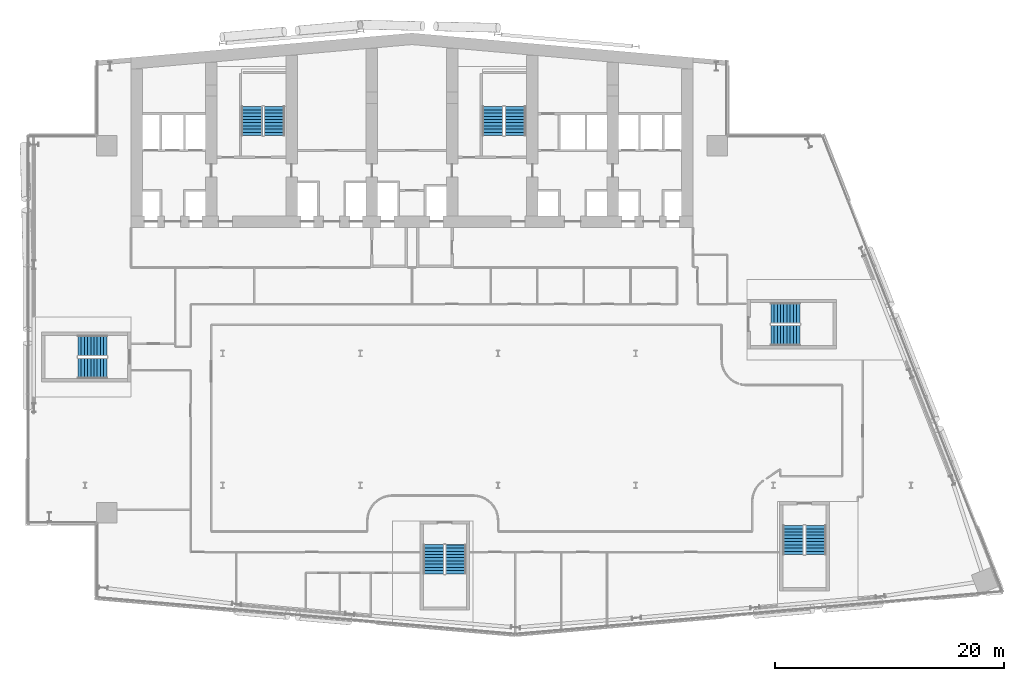
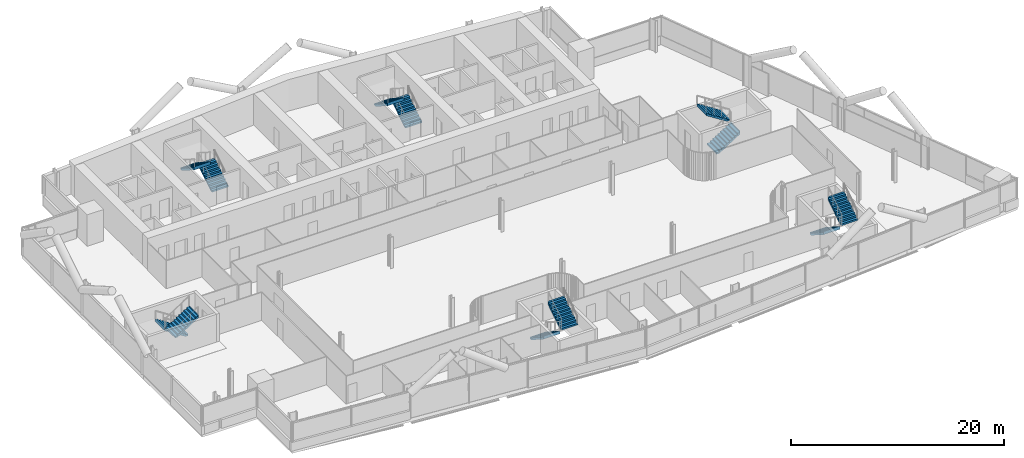
# One storey, part 24 of 30: 12 stair flights, 6 elements without a shape of their own.
"""IFC4 building model written with IfcOpenShell, lengths in metres."""

import ifcopenshell
import ifcopenshell.guid

model = None  # the IFC model being written
_history = None  # IfcOwnerHistory: only IFC2X3 demands one
_inside = {}  # id of a spatial element -> (the spatial element, [elements in it])
_under = {}  # id of a project, library or spatial element -> (it, [spatial elements below it])
_declared = {}  # id of a project -> (the project, [libraries it declares])
_typed = {}  # id of a type object -> (the type object, [elements of that type])
_made_of = {}  # id of a material, layer set ... -> (it, [elements and type objects made of it])


def new_model(schema):
    """Start an empty IFC model of exactly this schema.

    Asked for "IFC4X3", IfcOpenShell would pick the latest addendum, in which some entities
    have other attributes; the version numbers below select the first issue.
    IFC2X3 requires an IfcOwnerHistory on every rooted entity: one is made here for all.
    """
    global model, _history
    if schema == "IFC4X3":
        model = ifcopenshell.file(schema_version=(4, 3, 0, 0))
    else:
        model = ifcopenshell.file(schema=schema)
    _inside.clear()
    _under.clear()
    _declared.clear()
    _typed.clear()
    _made_of.clear()
    _history = None
    if model.schema == "IFC2X3":
        org = make("IfcOrganization", Name="unknown")
        user = make(
            "IfcPersonAndOrganization",
            ThePerson=make("IfcPerson", FamilyName="unknown"),
            TheOrganization=org,
        )
        app = make(
            "IfcApplication",
            ApplicationDeveloper=org,
            Version="unknown",
            ApplicationFullName="unknown",
            ApplicationIdentifier="unknown",
        )
        _history = make(
            "IfcOwnerHistory",
            OwningUser=user,
            OwningApplication=app,
            ChangeAction="ADDED",
            CreationDate=0,
        )
    return model


def make(cls, **values):
    """One entity of the class cls with the attributes given. An attribute that is None is left unset."""
    return model.create_entity(
        cls, **{name: value for name, value in values.items() if value is not None}
    )


def rooted(cls, **values):
    """An entity with a GlobalId (a new one), such as an element, a storey or a relation."""
    return make(cls, GlobalId=ifcopenshell.guid.new(), OwnerHistory=_history, **values)


def si_unit(unit_type, name, prefix=None):
    """IfcSIUnit, for example si_unit("LENGTHUNIT", "METRE", prefix="MILLI")."""
    return make("IfcSIUnit", UnitType=unit_type, Prefix=prefix, Name=name)


def assignment(units):
    """IfcUnitAssignment: the units of a project."""
    return None if units is None else make("IfcUnitAssignment", Units=units)


def point(xyz):
    """IfcCartesianPoint."""
    return None if xyz is None else make("IfcCartesianPoint", Coordinates=xyz)


def direction(xyz):
    """IfcDirection."""
    return None if xyz is None else make("IfcDirection", DirectionRatios=xyz)


def frame(location, z_axis=None, x_axis=None):
    """IfcAxis2Placement3D, a coordinate frame: its origin and axes. An axis left out is left unset."""
    return make(
        "IfcAxis2Placement3D",
        Location=point(location),
        Axis=direction(z_axis),
        RefDirection=direction(x_axis),
    )


def origin():
    """The frame at (0, 0, 0) with its axes left unset."""
    return frame((0.0, 0.0, 0.0))


def place(relative_to, where):
    """IfcLocalPlacement: puts the frame where relative to a parent placement (None: the world)."""
    return make(
        "IfcLocalPlacement", PlacementRelTo=relative_to, RelativePlacement=where
    )


def context(
    kind, dimensions, precision=None, world=None, true_north=None, identifier=None
):
    """IfcGeometricRepresentationContext, for example the 3D "Model" context."""
    return make(
        "IfcGeometricRepresentationContext",
        ContextIdentifier=identifier,
        ContextType=kind,
        CoordinateSpaceDimension=dimensions,
        Precision=precision,
        WorldCoordinateSystem=world,
        TrueNorth=true_north,
    )


def subcontext(parent, identifier, kind, view, scale=None):
    """IfcGeometricRepresentationSubContext, for example "Body" below "Model"."""
    return make(
        "IfcGeometricRepresentationSubContext",
        ContextIdentifier=identifier,
        ContextType=kind,
        ParentContext=parent,
        TargetScale=scale,
        TargetView=view,
    )


def project(units=None, contexts=None):
    """IfcProject with its units and contexts."""
    return rooted(
        "IfcProject",
        Name="project",
        RepresentationContexts=contexts,
        UnitsInContext=assignment(units),
    )


def spatial(cls, under=None, at=None, **own):
    """A site, building, storey or space (cls), placed at a placement, below another one or the project."""
    s = rooted(cls, ObjectPlacement=at, **own)
    if under is not None:
        _under.setdefault(under.id(), (under, []))[1].append(s)
    return s


def polyline(points):
    """IfcPolyline through the points."""
    return make("IfcPolyline", Points=[point(p) for p in points])


def outline(outer, holes=None, kind="AREA"):
    """IfcArbitraryClosedProfileDef: a profile drawn as a closed curve; with holes, ...WithVoids."""
    if holes is None:
        return make("IfcArbitraryClosedProfileDef", ProfileType=kind, OuterCurve=outer)
    return make(
        "IfcArbitraryProfileDefWithVoids",
        ProfileType=kind,
        OuterCurve=outer,
        InnerCurves=holes,
    )


def extrude(swept, where, along, depth):
    """IfcExtrudedAreaSolid: the profile swept, set in the frame where, extruded along a direction by depth."""
    return make(
        "IfcExtrudedAreaSolid",
        SweptArea=swept,
        Position=where,
        ExtrudedDirection=direction(along),
        Depth=depth,
    )


def shape(context_of_items, identifier, shape_type, items):
    """IfcShapeRepresentation: the items that make up one representation, for example the "Body"."""
    return make(
        "IfcShapeRepresentation",
        ContextOfItems=context_of_items,
        RepresentationIdentifier=identifier,
        RepresentationType=shape_type,
        Items=items,
    )


def material(Name=None, Category=None):
    """IfcMaterial."""
    return make("IfcMaterial", Name=Name, Category=Category)


def made_of(thing, what):
    """Note that an element or type object is made of a material, layer set ...; save() writes the relation."""
    if what is not None:
        _made_of.setdefault(what.id(), (what, []))[1].append(thing)
    return thing


def type_object(cls, material=None, **own):
    """A type object (cls), such as IfcWallType, which elements share."""
    return made_of(rooted(cls, **own), material)


def element(
    cls,
    number,
    at=None,
    inside=None,
    cuts=None,
    type_object=None,
    material=None,
    context=None,
    identifier="Body",
    shape_type=None,
    held_by="IfcProductDefinitionShape",
    body=None,
    shapes=None,
    **own,
):
    """One element of the class cls, such as IfcWall. Its Tag is "e" and its number.

    at: its placement. inside: the storey or other place that contains it. cuts: it is an
    opening in that element (IfcRelVoidsElement). A single representation is given by context,
    identifier, shape_type and body (its items); several are given by shapes. held_by: the class
    of the entity that holds the representations. save() writes the other relations.
    """
    e = rooted(cls, Tag="e%d" % number, ObjectPlacement=at, **own)
    if body is not None:
        shapes = [shape(context, identifier, shape_type, body)]
    if shapes is not None:
        e.Representation = make(held_by, Representations=shapes)
    if inside is not None:
        _inside.setdefault(inside.id(), (inside, []))[1].append(e)
    if cuts is not None:
        rooted(
            "IfcRelVoidsElement", RelatingBuildingElement=cuts, RelatedOpeningElement=e
        )
    if type_object is not None:
        _typed.setdefault(type_object.id(), (type_object, []))[1].append(e)
    return made_of(e, material)


def aggregate(whole, parts):
    """IfcRelAggregates: a whole, such as a stair, and the parts it consists of."""
    return rooted("IfcRelAggregates", RelatingObject=whole, RelatedObjects=parts)


def save(model, path):
    """Write the relations noted so far, then the file.

    IfcRelAggregates (storeys below a building ...), IfcRelContainedInSpatialStructure (elements
    in a storey), IfcRelDefinesByType, IfcRelAssociatesMaterial and IfcRelDeclares: one each for
    every whole, place, type object, material and project.
    """
    for whole, parts in _under.values():
        aggregate(whole, parts)
    for where, things in _inside.values():
        rooted(
            "IfcRelContainedInSpatialStructure",
            RelatedElements=things,
            RelatingStructure=where,
        )
    for kind, things in _typed.values():
        rooted("IfcRelDefinesByType", RelatedObjects=things, RelatingType=kind)
    for what, things in _made_of.values():
        rooted("IfcRelAssociatesMaterial", RelatedObjects=things, RelatingMaterial=what)
    for by, libraries in _declared.values():
        rooted("IfcRelDeclares", RelatingContext=by, RelatedDefinitions=libraries)
    model.write(path)


model = new_model("IFC4")

# Units and contexts
model_context = context("Model", 3, precision=1e-05, world=origin(), true_north=direction((0.0, 1.0)))
body_context = subcontext(model_context, "Body", "Model", "MODEL_VIEW")
ifc_project = project(units=[si_unit("LENGTHUNIT", "METRE"), si_unit("AREAUNIT", "SQUARE_METRE"), si_unit("VOLUMEUNIT", "CUBIC_METRE"), si_unit("PLANEANGLEUNIT", "RADIAN"), si_unit("MASSUNIT", "GRAM", prefix="KILO")], contexts=[model_context])

# Site, building, storey
site_placement = place(None, origin())
site = spatial("IfcSite", under=ifc_project, at=site_placement, CompositionType="ELEMENT")
building_placement = place(site_placement, origin())
building = spatial("IfcBuilding", under=site, at=building_placement, Name="Wharfspan Tower", CompositionType="ELEMENT")
storey_placement = place(building_placement, frame((0.0, 0.0, 100.300049)))
storey = spatial("IfcBuildingStorey", under=building, at=storey_placement, Name="L22", CompositionType="ELEMENT", Elevation=100.300049)

# Stair, stair flights
ifc_material = material(Name="Concrete C40/50", Category="concrete")
stair_type = type_object("IfcStairType", Name="Half-turn stair 20 risers 180 mm", PredefinedType="HALF_TURN_STAIR", material=ifc_material)
stair_1_placement = place(storey_placement, origin())
stair_1 = element("IfcStair", 1, at=stair_1_placement, inside=storey, type_object=stair_type, Name="L22 stair ST1", PredefinedType="HALF_TURN_STAIR")
stair_flight_type = type_object("IfcStairFlightType", Name="Stair flight 20 risers 180 mm", PredefinedType="STRAIGHT", material=ifc_material)
stair_flight_1_placement = place(storey_placement, frame((28.5, 42.0, 0.0), z_axis=(0.0, 0.0, 1.0), x_axis=(0.0, 1.0, 0.0)))
stair_flight_1 = element("IfcStairFlight", 2, at=stair_flight_1_placement, type_object=stair_flight_type, Name="ST1 flight 1", NumberOfRisers=10, NumberOfTreads=9, PredefinedType="STRAIGHT", RiserHeight=0.18, TreadLength=0.28, context=body_context, shape_type="SweptSolid", body=[
    extrude(outline(polyline([(-0.011963, 0.0), (-0.011963, 0.179932), (0.0, 0.179932), (0.280029, 0.179932), (0.280029, 0.360107), (0.560059, 0.360107), (0.560059, 0.540039), (0.840088, 0.540039), (0.840088, 0.719971), (1.120117, 0.719971), (1.120117, 0.899902), (1.399902, 0.899902), (1.399902, 1.080078), (1.679932, 1.080078), (1.679932, 1.26001), (1.959961, 1.26001), (1.959961, 1.439941), (2.23999, 1.439941), (2.23999, 1.620117), (2.52002, 1.620117), (2.531982, 1.800049), (2.531982, 1.441895), (0.2771, 0.0), (-0.011963, 0.0)])), frame((0.0, 0.899902, 0.0), z_axis=(0.0, -1.0, 0.0), x_axis=(1.0, 0.0, 0.0)), (0.0, 0.0, 1.0), 0.899414),
    extrude(outline(polyline([(-0.011963, 0.0), (-0.011963, 0.179932), (0.0, 0.179932), (0.280029, 0.179932), (0.280029, 0.360107), (0.560059, 0.360107), (0.560059, 0.540039), (0.840088, 0.540039), (0.840088, 0.719971), (1.120117, 0.719971), (1.120117, 0.899902), (1.399902, 0.899902), (1.399902, 1.080078), (1.679932, 1.080078), (1.679932, 1.26001), (1.959961, 1.26001), (1.959961, 1.439941), (2.23999, 1.439941), (2.23999, 1.620117), (2.52002, 1.620117), (2.531982, 1.800049), (2.531982, 1.441895), (0.2771, 0.0), (-0.011963, 0.0)])), frame((0.0, -0.000488, 0.0), z_axis=(0.0, -1.0, 0.0), x_axis=(1.0, 0.0, 0.0)), (0.0, 0.0, 1.0), 0.899414),
])
stair_flight_2_placement = place(storey_placement, frame((26.550049, 44.52002, 1.800049), z_axis=(0.0, 0.0, 1.0), x_axis=(0.0, -1.0, 0.0)))
stair_flight_2 = element("IfcStairFlight", 3, at=stair_flight_2_placement, type_object=stair_flight_type, Name="ST1 flight 2", NumberOfRisers=10, NumberOfTreads=9, PredefinedType="STRAIGHT", RiserHeight=0.18, TreadLength=0.28, context=body_context, shape_type="SweptSolid", body=[
    extrude(outline(polyline([(-0.011963, 0.0), (-0.011963, 0.179932), (0.0, 0.179932), (0.280029, 0.179932), (0.280029, 0.360107), (0.560059, 0.360107), (0.560059, 0.540039), (0.840088, 0.540039), (0.840088, 0.719971), (1.120117, 0.719971), (1.120117, 0.899902), (1.399902, 0.899902), (1.399902, 1.080078), (1.679932, 1.080078), (1.679932, 1.26001), (1.959961, 1.26001), (1.959961, 1.439941), (2.23999, 1.439941), (2.23999, 1.620117), (2.52002, 1.620117), (2.531982, 1.800049), (2.531982, 1.441895), (0.2771, 0.0), (-0.011963, 0.0)])), frame((0.0, 0.899902, 0.0), z_axis=(0.0, -1.0, 0.0), x_axis=(1.0, 0.0, 0.0)), (0.0, 0.0, 1.0), 0.899414),
    extrude(outline(polyline([(-0.011963, 0.0), (-0.011963, 0.179932), (0.0, 0.179932), (0.280029, 0.179932), (0.280029, 0.360107), (0.560059, 0.360107), (0.560059, 0.540039), (0.840088, 0.540039), (0.840088, 0.719971), (1.120117, 0.719971), (1.120117, 0.899902), (1.399902, 0.899902), (1.399902, 1.080078), (1.679932, 1.080078), (1.679932, 1.26001), (1.959961, 1.26001), (1.959961, 1.439941), (2.23999, 1.439941), (2.23999, 1.620117), (2.52002, 1.620117), (2.531982, 1.800049), (2.531982, 1.441895), (0.2771, 0.0), (-0.011963, 0.0)])), frame((0.0, -0.000488, 0.0), z_axis=(0.0, -1.0, 0.0), x_axis=(1.0, 0.0, 0.0)), (0.0, 0.0, 1.0), 0.899414),
])
aggregate(stair_1, [stair_flight_1, stair_flight_2])

stair_2_placement = place(storey_placement, origin())
stair_2 = element("IfcStair", 4, at=stair_2_placement, inside=storey, type_object=stair_type, Name="L22 stair ST2", PredefinedType="HALF_TURN_STAIR")
stair_flight_3_placement = place(storey_placement, frame((49.5, 42.0, 0.0), z_axis=(0.0, 0.0, 1.0), x_axis=(0.0, 1.0, 0.0)))
stair_flight_3 = element("IfcStairFlight", 5, at=stair_flight_3_placement, type_object=stair_flight_type, Name="ST2 flight 1", NumberOfRisers=10, NumberOfTreads=9, PredefinedType="STRAIGHT", RiserHeight=0.18, TreadLength=0.28, context=body_context, shape_type="SweptSolid", body=[
    extrude(outline(polyline([(-0.011963, 0.0), (-0.011963, 0.179932), (0.0, 0.179932), (0.280029, 0.179932), (0.280029, 0.360107), (0.560059, 0.360107), (0.560059, 0.540039), (0.840088, 0.540039), (0.840088, 0.719971), (1.120117, 0.719971), (1.120117, 0.899902), (1.399902, 0.899902), (1.399902, 1.080078), (1.679932, 1.080078), (1.679932, 1.26001), (1.959961, 1.26001), (1.959961, 1.439941), (2.23999, 1.439941), (2.23999, 1.620117), (2.52002, 1.620117), (2.531982, 1.800049), (2.531982, 1.441895), (0.2771, 0.0), (-0.011963, 0.0)])), frame((0.0, 0.899902, 0.0), z_axis=(0.0, -1.0, 0.0), x_axis=(1.0, 0.0, 0.0)), (0.0, 0.0, 1.0), 0.899414),
    extrude(outline(polyline([(-0.011963, 0.0), (-0.011963, 0.179932), (0.0, 0.179932), (0.280029, 0.179932), (0.280029, 0.360107), (0.560059, 0.360107), (0.560059, 0.540039), (0.840088, 0.540039), (0.840088, 0.719971), (1.120117, 0.719971), (1.120117, 0.899902), (1.399902, 0.899902), (1.399902, 1.080078), (1.679932, 1.080078), (1.679932, 1.26001), (1.959961, 1.26001), (1.959961, 1.439941), (2.23999, 1.439941), (2.23999, 1.620117), (2.52002, 1.620117), (2.531982, 1.800049), (2.531982, 1.441895), (0.2771, 0.0), (-0.011963, 0.0)])), frame((0.0, -0.000488, 0.0), z_axis=(0.0, -1.0, 0.0), x_axis=(1.0, 0.0, 0.0)), (0.0, 0.0, 1.0), 0.899414),
])
stair_flight_4_placement = place(storey_placement, frame((47.550049, 44.52002, 1.800049), z_axis=(0.0, 0.0, 1.0), x_axis=(0.0, -1.0, 0.0)))
stair_flight_4 = element("IfcStairFlight", 6, at=stair_flight_4_placement, type_object=stair_flight_type, Name="ST2 flight 2", NumberOfRisers=10, NumberOfTreads=9, PredefinedType="STRAIGHT", RiserHeight=0.18, TreadLength=0.28, context=body_context, shape_type="SweptSolid", body=[
    extrude(outline(polyline([(-0.011963, 0.0), (-0.011963, 0.179932), (0.0, 0.179932), (0.280029, 0.179932), (0.280029, 0.360107), (0.560059, 0.360107), (0.560059, 0.540039), (0.840088, 0.540039), (0.840088, 0.719971), (1.120117, 0.719971), (1.120117, 0.899902), (1.399902, 0.899902), (1.399902, 1.080078), (1.679932, 1.080078), (1.679932, 1.26001), (1.959961, 1.26001), (1.959961, 1.439941), (2.23999, 1.439941), (2.23999, 1.620117), (2.52002, 1.620117), (2.531982, 1.800049), (2.531982, 1.441895), (0.2771, 0.0), (-0.011963, 0.0)])), frame((0.0, 0.899902, 0.0), z_axis=(0.0, -1.0, 0.0), x_axis=(1.0, 0.0, 0.0)), (0.0, 0.0, 1.0), 0.899414),
    extrude(outline(polyline([(-0.011963, 0.0), (-0.011963, 0.179932), (0.0, 0.179932), (0.280029, 0.179932), (0.280029, 0.360107), (0.560059, 0.360107), (0.560059, 0.540039), (0.840088, 0.540039), (0.840088, 0.719971), (1.120117, 0.719971), (1.120117, 0.899902), (1.399902, 0.899902), (1.399902, 1.080078), (1.679932, 1.080078), (1.679932, 1.26001), (1.959961, 1.26001), (1.959961, 1.439941), (2.23999, 1.439941), (2.23999, 1.620117), (2.52002, 1.620117), (2.531982, 1.800049), (2.531982, 1.441895), (0.2771, 0.0), (-0.011963, 0.0)])), frame((0.0, -0.000488, 0.0), z_axis=(0.0, -1.0, 0.0), x_axis=(1.0, 0.0, 0.0)), (0.0, 0.0, 1.0), 0.899414),
])
aggregate(stair_2, [stair_flight_3, stair_flight_4])

stair_3_placement = place(storey_placement, origin())
stair_3 = element("IfcStair", 7, at=stair_3_placement, inside=storey, type_object=stair_type, Name="L22 stair ST3", PredefinedType="HALF_TURN_STAIR")
stair_flight_5_placement = place(storey_placement, frame((13.899902, 23.675049, 0.0), z_axis=(0.0, 0.0, 1.0), x_axis=(-1.0, 0.0, 0.0)))
stair_flight_5 = element("IfcStairFlight", 8, at=stair_flight_5_placement, type_object=stair_flight_type, Name="ST3 flight 1", NumberOfRisers=10, NumberOfTreads=9, PredefinedType="STRAIGHT", RiserHeight=0.18, TreadLength=0.28, context=body_context, shape_type="SweptSolid", body=[
    extrude(outline(polyline([(-0.011963, 0.0), (-0.011963, 0.179932), (0.0, 0.179932), (0.280029, 0.179932), (0.280029, 0.360107), (0.560059, 0.360107), (0.560059, 0.540039), (0.840088, 0.540039), (0.840088, 0.719971), (1.120117, 0.719971), (1.120117, 0.899902), (1.399902, 0.899902), (1.399902, 1.080078), (1.679932, 1.080078), (1.679932, 1.26001), (1.959961, 1.26001), (1.959961, 1.439941), (2.23999, 1.439941), (2.23999, 1.620117), (2.52002, 1.620117), (2.531982, 1.800049), (2.531982, 1.441895), (0.2771, 0.0), (-0.011963, 0.0)])), frame((0.0, 0.899902, 0.0), z_axis=(0.0, -1.0, 0.0), x_axis=(1.0, 0.0, 0.0)), (0.0, 0.0, 1.0), 0.899414),
    extrude(outline(polyline([(-0.011963, 0.0), (-0.011963, 0.179932), (0.0, 0.179932), (0.280029, 0.179932), (0.280029, 0.360107), (0.560059, 0.360107), (0.560059, 0.540039), (0.840088, 0.540039), (0.840088, 0.719971), (1.120117, 0.719971), (1.120117, 0.899902), (1.399902, 0.899902), (1.399902, 1.080078), (1.679932, 1.080078), (1.679932, 1.26001), (1.959961, 1.26001), (1.959961, 1.439941), (2.23999, 1.439941), (2.23999, 1.620117), (2.52002, 1.620117), (2.531982, 1.800049), (2.531982, 1.441895), (0.2771, 0.0), (-0.011963, 0.0)])), frame((0.0, -0.000488, 0.0), z_axis=(0.0, -1.0, 0.0), x_axis=(1.0, 0.0, 0.0)), (0.0, 0.0, 1.0), 0.899414),
])
stair_flight_6_placement = place(storey_placement, frame((11.379883, 21.725098, 1.800049), z_axis=(0.0, 0.0, 1.0), x_axis=(1.0, 0.0, 0.0)))
stair_flight_6 = element("IfcStairFlight", 9, at=stair_flight_6_placement, type_object=stair_flight_type, Name="ST3 flight 2", NumberOfRisers=10, NumberOfTreads=9, PredefinedType="STRAIGHT", RiserHeight=0.18, TreadLength=0.28, context=body_context, shape_type="SweptSolid", body=[
    extrude(outline(polyline([(-0.011963, 0.0), (-0.011963, 0.179932), (0.0, 0.179932), (0.280029, 0.179932), (0.280029, 0.360107), (0.560059, 0.360107), (0.560059, 0.540039), (0.840088, 0.540039), (0.840088, 0.719971), (1.120117, 0.719971), (1.120117, 0.899902), (1.399902, 0.899902), (1.399902, 1.080078), (1.679932, 1.080078), (1.679932, 1.26001), (1.959961, 1.26001), (1.959961, 1.439941), (2.23999, 1.439941), (2.23999, 1.620117), (2.52002, 1.620117), (2.531982, 1.800049), (2.531982, 1.441895), (0.2771, 0.0), (-0.011963, 0.0)])), frame((0.0, 0.899902, 0.0), z_axis=(0.0, -1.0, 0.0), x_axis=(1.0, 0.0, 0.0)), (0.0, 0.0, 1.0), 0.899414),
    extrude(outline(polyline([(-0.011963, 0.0), (-0.011963, 0.179932), (0.0, 0.179932), (0.280029, 0.179932), (0.280029, 0.360107), (0.560059, 0.360107), (0.560059, 0.540039), (0.840088, 0.540039), (0.840088, 0.719971), (1.120117, 0.719971), (1.120117, 0.899902), (1.399902, 0.899902), (1.399902, 1.080078), (1.679932, 1.080078), (1.679932, 1.26001), (1.959961, 1.26001), (1.959961, 1.439941), (2.23999, 1.439941), (2.23999, 1.620117), (2.52002, 1.620117), (2.531982, 1.800049), (2.531982, 1.441895), (0.2771, 0.0), (-0.011963, 0.0)])), frame((0.0, -0.000488, 0.0), z_axis=(0.0, -1.0, 0.0), x_axis=(1.0, 0.0, 0.0)), (0.0, 0.0, 1.0), 0.899414),
])
aggregate(stair_3, [stair_flight_5, stair_flight_6])

stair_4_placement = place(storey_placement, origin())
stair_4 = element("IfcStair", 10, at=stair_4_placement, inside=storey, type_object=stair_type, Name="L22 stair ST4", PredefinedType="HALF_TURN_STAIR")
stair_flight_7_placement = place(storey_placement, frame((42.385254, 6.316895, 0.0), z_axis=(0.0, 0.0, 1.0), x_axis=(0.0, -1.0, 0.0)))
stair_flight_7 = element("IfcStairFlight", 11, at=stair_flight_7_placement, type_object=stair_flight_type, Name="ST4 flight 1", NumberOfRisers=10, NumberOfTreads=9, PredefinedType="STRAIGHT", RiserHeight=0.18, TreadLength=0.28, context=body_context, shape_type="SweptSolid", body=[
    extrude(outline(polyline([(-0.011963, 0.0), (-0.011963, 0.179932), (0.0, 0.179932), (0.280029, 0.179932), (0.280029, 0.360107), (0.560059, 0.360107), (0.560059, 0.540039), (0.840088, 0.540039), (0.840088, 0.719971), (1.120117, 0.719971), (1.120117, 0.899902), (1.399902, 0.899902), (1.399902, 1.080078), (1.679932, 1.080078), (1.679932, 1.26001), (1.959961, 1.26001), (1.959961, 1.439941), (2.23999, 1.439941), (2.23999, 1.620117), (2.52002, 1.620117), (2.531982, 1.800049), (2.531982, 1.441895), (0.2771, 0.0), (-0.011963, 0.0)])), frame((0.0, 0.899902, 0.0), z_axis=(0.0, -1.0, 0.0), x_axis=(1.0, 0.0, 0.0)), (0.0, 0.0, 1.0), 0.899414),
    extrude(outline(polyline([(-0.011963, 0.0), (-0.011963, 0.179932), (0.0, 0.179932), (0.280029, 0.179932), (0.280029, 0.360107), (0.560059, 0.360107), (0.560059, 0.540039), (0.840088, 0.540039), (0.840088, 0.719971), (1.120117, 0.719971), (1.120117, 0.899902), (1.399902, 0.899902), (1.399902, 1.080078), (1.679932, 1.080078), (1.679932, 1.26001), (1.959961, 1.26001), (1.959961, 1.439941), (2.23999, 1.439941), (2.23999, 1.620117), (2.52002, 1.620117), (2.531982, 1.800049), (2.531982, 1.441895), (0.2771, 0.0), (-0.011963, 0.0)])), frame((0.0, -0.000488, 0.0), z_axis=(0.0, -1.0, 0.0), x_axis=(1.0, 0.0, 0.0)), (0.0, 0.0, 1.0), 0.899414),
])
stair_flight_8_placement = place(storey_placement, frame((44.335205, 3.796875, 1.800049), z_axis=(0.0, 0.0, 1.0), x_axis=(0.0, 1.0, 0.0)))
stair_flight_8 = element("IfcStairFlight", 12, at=stair_flight_8_placement, type_object=stair_flight_type, Name="ST4 flight 2", NumberOfRisers=10, NumberOfTreads=9, PredefinedType="STRAIGHT", RiserHeight=0.18, TreadLength=0.28, context=body_context, shape_type="SweptSolid", body=[
    extrude(outline(polyline([(-0.011963, 0.0), (-0.011963, 0.179932), (0.0, 0.179932), (0.280029, 0.179932), (0.280029, 0.360107), (0.560059, 0.360107), (0.560059, 0.540039), (0.840088, 0.540039), (0.840088, 0.719971), (1.120117, 0.719971), (1.120117, 0.899902), (1.399902, 0.899902), (1.399902, 1.080078), (1.679932, 1.080078), (1.679932, 1.26001), (1.959961, 1.26001), (1.959961, 1.439941), (2.23999, 1.439941), (2.23999, 1.620117), (2.52002, 1.620117), (2.531982, 1.800049), (2.531982, 1.441895), (0.2771, 0.0), (-0.011963, 0.0)])), frame((0.0, 0.899902, 0.0), z_axis=(0.0, -1.0, 0.0), x_axis=(1.0, 0.0, 0.0)), (0.0, 0.0, 1.0), 0.899414),
    extrude(outline(polyline([(-0.011963, 0.0), (-0.011963, 0.179932), (0.0, 0.179932), (0.280029, 0.179932), (0.280029, 0.360107), (0.560059, 0.360107), (0.560059, 0.540039), (0.840088, 0.540039), (0.840088, 0.719971), (1.120117, 0.719971), (1.120117, 0.899902), (1.399902, 0.899902), (1.399902, 1.080078), (1.679932, 1.080078), (1.679932, 1.26001), (1.959961, 1.26001), (1.959961, 1.439941), (2.23999, 1.439941), (2.23999, 1.620117), (2.52002, 1.620117), (2.531982, 1.800049), (2.531982, 1.441895), (0.2771, 0.0), (-0.011963, 0.0)])), frame((0.0, -0.000488, 0.0), z_axis=(0.0, -1.0, 0.0), x_axis=(1.0, 0.0, 0.0)), (0.0, 0.0, 1.0), 0.899414),
])
aggregate(stair_4, [stair_flight_7, stair_flight_8])

stair_5_placement = place(storey_placement, origin())
stair_5 = element("IfcStair", 13, at=stair_5_placement, inside=storey, type_object=stair_type, Name="L22 stair ST5", PredefinedType="HALF_TURN_STAIR")
stair_flight_9_placement = place(storey_placement, frame((73.740967, 7.994629, 0.0), z_axis=(0.0, 0.0, 1.0), x_axis=(0.0, -1.0, 0.0)))
stair_flight_9 = element("IfcStairFlight", 14, at=stair_flight_9_placement, type_object=stair_flight_type, Name="ST5 flight 1", NumberOfRisers=10, NumberOfTreads=9, PredefinedType="STRAIGHT", RiserHeight=0.18, TreadLength=0.28, context=body_context, shape_type="SweptSolid", body=[
    extrude(outline(polyline([(-0.011963, 0.0), (-0.011963, 0.179932), (0.0, 0.179932), (0.280029, 0.179932), (0.280029, 0.360107), (0.560059, 0.360107), (0.560059, 0.540039), (0.840088, 0.540039), (0.840088, 0.719971), (1.120117, 0.719971), (1.120117, 0.899902), (1.399902, 0.899902), (1.399902, 1.080078), (1.679932, 1.080078), (1.679932, 1.26001), (1.959961, 1.26001), (1.959961, 1.439941), (2.23999, 1.439941), (2.23999, 1.620117), (2.52002, 1.620117), (2.531982, 1.800049), (2.531982, 1.441895), (0.2771, 0.0), (-0.011963, 0.0)])), frame((0.0, 0.899902, 0.0), z_axis=(0.0, -1.0, 0.0), x_axis=(1.0, 0.0, 0.0)), (0.0, 0.0, 1.0), 0.899414),
    extrude(outline(polyline([(-0.011963, 0.0), (-0.011963, 0.179932), (0.0, 0.179932), (0.280029, 0.179932), (0.280029, 0.360107), (0.560059, 0.360107), (0.560059, 0.540039), (0.840088, 0.540039), (0.840088, 0.719971), (1.120117, 0.719971), (1.120117, 0.899902), (1.399902, 0.899902), (1.399902, 1.080078), (1.679932, 1.080078), (1.679932, 1.26001), (1.959961, 1.26001), (1.959961, 1.439941), (2.23999, 1.439941), (2.23999, 1.620117), (2.52002, 1.620117), (2.531982, 1.800049), (2.531982, 1.441895), (0.2771, 0.0), (-0.011963, 0.0)])), frame((0.0, -0.000488, 0.0), z_axis=(0.0, -1.0, 0.0), x_axis=(1.0, 0.0, 0.0)), (0.0, 0.0, 1.0), 0.899414),
])
stair_flight_10_placement = place(storey_placement, frame((75.690918, 5.474609, 1.800049), z_axis=(0.0, 0.0, 1.0), x_axis=(0.0, 1.0, 0.0)))
stair_flight_10 = element("IfcStairFlight", 15, at=stair_flight_10_placement, type_object=stair_flight_type, Name="ST5 flight 2", NumberOfRisers=10, NumberOfTreads=9, PredefinedType="STRAIGHT", RiserHeight=0.18, TreadLength=0.28, context=body_context, shape_type="SweptSolid", body=[
    extrude(outline(polyline([(-0.011963, 0.0), (-0.011963, 0.179932), (0.0, 0.179932), (0.280029, 0.179932), (0.280029, 0.360107), (0.560059, 0.360107), (0.560059, 0.540039), (0.840088, 0.540039), (0.840088, 0.719971), (1.120117, 0.719971), (1.120117, 0.899902), (1.399902, 0.899902), (1.399902, 1.080078), (1.679932, 1.080078), (1.679932, 1.26001), (1.959961, 1.26001), (1.959961, 1.439941), (2.23999, 1.439941), (2.23999, 1.620117), (2.52002, 1.620117), (2.531982, 1.800049), (2.531982, 1.441895), (0.2771, 0.0), (-0.011963, 0.0)])), frame((0.0, 0.899902, 0.0), z_axis=(0.0, -1.0, 0.0), x_axis=(1.0, 0.0, 0.0)), (0.0, 0.0, 1.0), 0.899414),
    extrude(outline(polyline([(-0.011963, 0.0), (-0.011963, 0.179932), (0.0, 0.179932), (0.280029, 0.179932), (0.280029, 0.360107), (0.560059, 0.360107), (0.560059, 0.540039), (0.840088, 0.540039), (0.840088, 0.719971), (1.120117, 0.719971), (1.120117, 0.899902), (1.399902, 0.899902), (1.399902, 1.080078), (1.679932, 1.080078), (1.679932, 1.26001), (1.959961, 1.26001), (1.959961, 1.439941), (2.23999, 1.439941), (2.23999, 1.620117), (2.52002, 1.620117), (2.531982, 1.800049), (2.531982, 1.441895), (0.2771, 0.0), (-0.011963, 0.0)])), frame((0.0, -0.000488, 0.0), z_axis=(0.0, -1.0, 0.0), x_axis=(1.0, 0.0, 0.0)), (0.0, 0.0, 1.0), 0.899414),
])
aggregate(stair_5, [stair_flight_9, stair_flight_10])

stair_6_placement = place(storey_placement, origin())
stair_6 = element("IfcStair", 16, at=stair_6_placement, inside=storey, type_object=stair_type, Name="L22 stair ST6", PredefinedType="HALF_TURN_STAIR")
stair_flight_11_placement = place(storey_placement, frame((71.790283, 24.574951, 0.0), z_axis=(0.0, 0.0, 1.0), x_axis=(1.0, 0.0, 0.0)))
stair_flight_11 = element("IfcStairFlight", 17, at=stair_flight_11_placement, type_object=stair_flight_type, Name="ST6 flight 1", NumberOfRisers=10, NumberOfTreads=9, PredefinedType="STRAIGHT", RiserHeight=0.18, TreadLength=0.28, context=body_context, shape_type="SweptSolid", body=[
    extrude(outline(polyline([(-0.011963, 0.0), (-0.011963, 0.179932), (0.0, 0.179932), (0.280029, 0.179932), (0.280029, 0.360107), (0.560059, 0.360107), (0.560059, 0.540039), (0.840088, 0.540039), (0.840088, 0.719971), (1.120117, 0.719971), (1.120117, 0.899902), (1.399902, 0.899902), (1.399902, 1.080078), (1.679932, 1.080078), (1.679932, 1.26001), (1.959961, 1.26001), (1.959961, 1.439941), (2.23999, 1.439941), (2.23999, 1.620117), (2.52002, 1.620117), (2.531982, 1.800049), (2.531982, 1.441895), (0.2771, 0.0), (-0.011963, 0.0)])), frame((0.0, 0.899902, 0.0), z_axis=(0.0, -1.0, 0.0), x_axis=(1.0, 0.0, 0.0)), (0.0, 0.0, 1.0), 0.899414),
    extrude(outline(polyline([(-0.011963, 0.0), (-0.011963, 0.179932), (0.0, 0.179932), (0.280029, 0.179932), (0.280029, 0.360107), (0.560059, 0.360107), (0.560059, 0.540039), (0.840088, 0.540039), (0.840088, 0.719971), (1.120117, 0.719971), (1.120117, 0.899902), (1.399902, 0.899902), (1.399902, 1.080078), (1.679932, 1.080078), (1.679932, 1.26001), (1.959961, 1.26001), (1.959961, 1.439941), (2.23999, 1.439941), (2.23999, 1.620117), (2.52002, 1.620117), (2.531982, 1.800049), (2.531982, 1.441895), (0.2771, 0.0), (-0.011963, 0.0)])), frame((0.0, -0.000488, 0.0), z_axis=(0.0, -1.0, 0.0), x_axis=(1.0, 0.0, 0.0)), (0.0, 0.0, 1.0), 0.899414),
])
stair_flight_12_placement = place(storey_placement, frame((74.310303, 26.524902, 1.800049), z_axis=(0.0, 0.0, 1.0), x_axis=(-1.0, 0.0, 0.0)))
stair_flight_12 = element("IfcStairFlight", 18, at=stair_flight_12_placement, type_object=stair_flight_type, Name="ST6 flight 2", NumberOfRisers=10, NumberOfTreads=9, PredefinedType="STRAIGHT", RiserHeight=0.18, TreadLength=0.28, context=body_context, shape_type="SweptSolid", body=[
    extrude(outline(polyline([(-0.011963, 0.0), (-0.011963, 0.179932), (0.0, 0.179932), (0.280029, 0.179932), (0.280029, 0.360107), (0.560059, 0.360107), (0.560059, 0.540039), (0.840088, 0.540039), (0.840088, 0.719971), (1.120117, 0.719971), (1.120117, 0.899902), (1.399902, 0.899902), (1.399902, 1.080078), (1.679932, 1.080078), (1.679932, 1.26001), (1.959961, 1.26001), (1.959961, 1.439941), (2.23999, 1.439941), (2.23999, 1.620117), (2.52002, 1.620117), (2.531982, 1.800049), (2.531982, 1.441895), (0.2771, 0.0), (-0.011963, 0.0)])), frame((0.0, 0.899902, 0.0), z_axis=(0.0, -1.0, 0.0), x_axis=(1.0, 0.0, 0.0)), (0.0, 0.0, 1.0), 0.899414),
    extrude(outline(polyline([(-0.011963, 0.0), (-0.011963, 0.179932), (0.0, 0.179932), (0.280029, 0.179932), (0.280029, 0.360107), (0.560059, 0.360107), (0.560059, 0.540039), (0.840088, 0.540039), (0.840088, 0.719971), (1.120117, 0.719971), (1.120117, 0.899902), (1.399902, 0.899902), (1.399902, 1.080078), (1.679932, 1.080078), (1.679932, 1.26001), (1.959961, 1.26001), (1.959961, 1.439941), (2.23999, 1.439941), (2.23999, 1.620117), (2.52002, 1.620117), (2.531982, 1.800049), (2.531982, 1.441895), (0.2771, 0.0), (-0.011963, 0.0)])), frame((0.0, -0.000488, 0.0), z_axis=(0.0, -1.0, 0.0), x_axis=(1.0, 0.0, 0.0)), (0.0, 0.0, 1.0), 0.899414),
])
aggregate(stair_6, [stair_flight_11, stair_flight_12])

save(model, "model.ifc")
